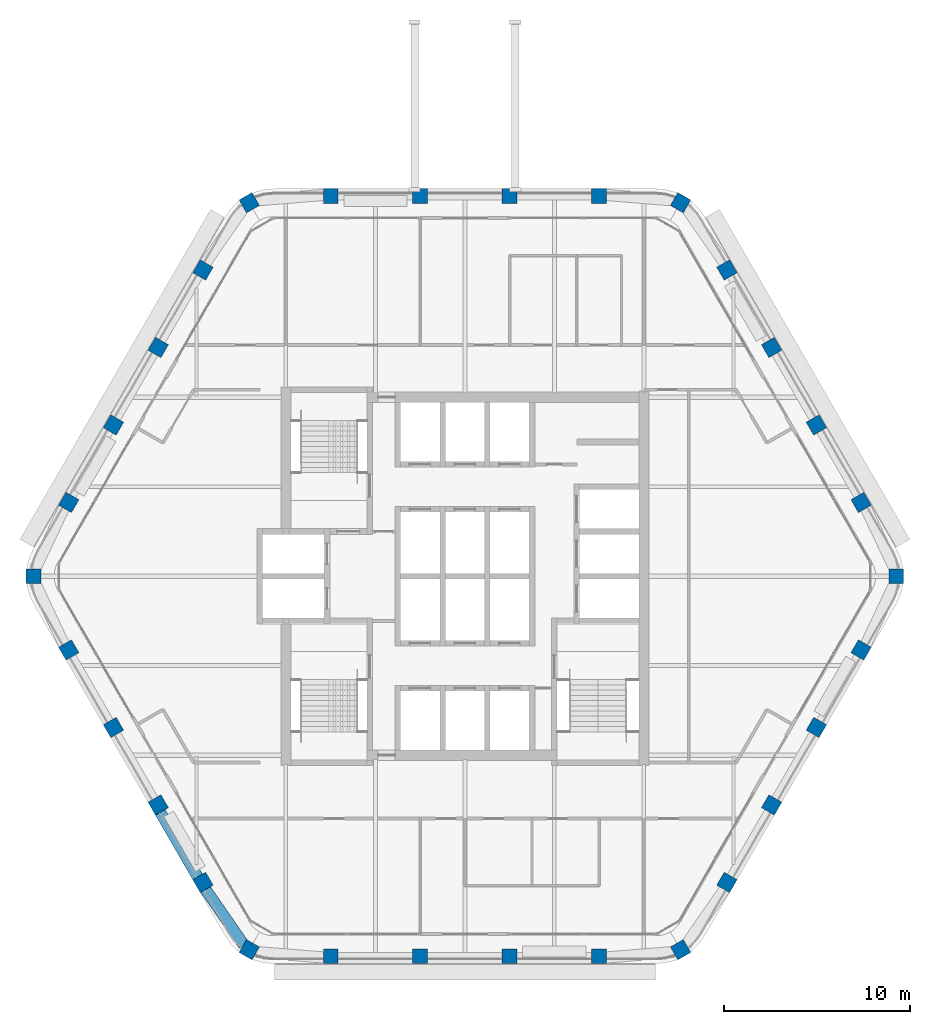
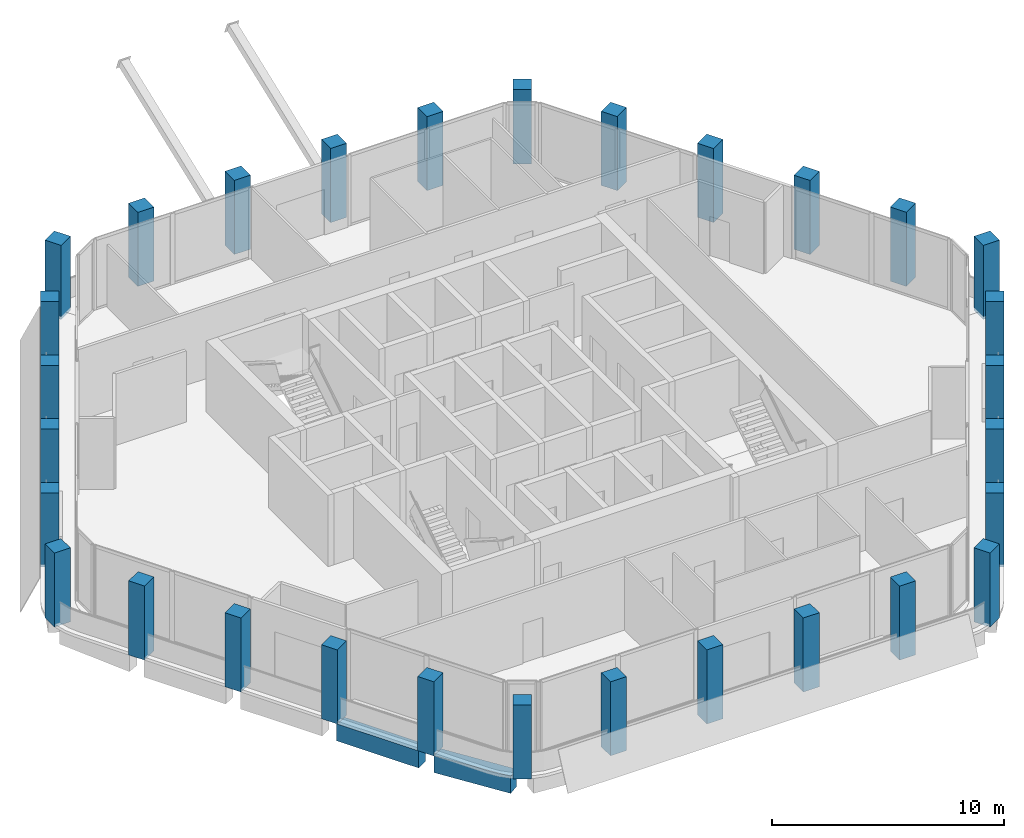
# One storey, part 1 of 14: 30 columns, 2 beams.
"""IFC4 building model written with IfcOpenShell, lengths in metres."""

from ifc_helpers import new_model, si_unit, direction, frame, origin, origin_2d, place, context, subcontext, project, spatial, rectangle, extrude, material, material_profile, profile_set, type_object, element, save


model = new_model("IFC4")

# Units and contexts
model_context = context("Model", 3, precision=1e-05, world=origin(), true_north=direction((0.0, 1.0)))
body_context = subcontext(model_context, "Body", "Model", "MODEL_VIEW")
ifc_project = project(units=[si_unit("LENGTHUNIT", "METRE"), si_unit("AREAUNIT", "SQUARE_METRE"), si_unit("VOLUMEUNIT", "CUBIC_METRE"), si_unit("PLANEANGLEUNIT", "RADIAN"), si_unit("MASSUNIT", "GRAM", prefix="KILO")], contexts=[model_context])

# Site, building, storey
site_placement = place(None, origin())
site = spatial("IfcSite", under=ifc_project, at=site_placement, CompositionType="ELEMENT")
building_placement = place(site_placement, origin())
building = spatial("IfcBuilding", under=site, at=building_placement, Name="Kolab Exchange Tower", CompositionType="ELEMENT")
storey_placement = place(building_placement, frame((0.0, 0.0, 261.800048828125)))
storey = spatial("IfcBuildingStorey", under=building, at=storey_placement, Name="L58", CompositionType="ELEMENT", Elevation=261.800048828125)

# Columns
ifc_material = material(Name="Concrete C50/60", Category="concrete")
ifc_material_profile_1 = material_profile(ifc_material, rectangle(XDim=0.800048828125, YDim=0.800048828125, at=origin_2d()), Name="RC800")
ifc_profile_set_1 = profile_set([ifc_material_profile_1], Name="Concrete C50/60")
column_type = type_object("IfcColumnType", Name="PERIMETER COLUMN 800 SQ C50/60", PredefinedType="COLUMN", material=ifc_profile_set_1)
for number, where, z_axis, x_axis, name in (
    (1, (-11.56787109375, 20.036376953125, -0.150146484375), (0.0, 0.0, 1.0), (0.866025403784, 0.5, 0.0), "col/L58/F1-01"),
    (2, (-7.199951171875, 20.384521484375, -0.150146484375), (0.0, 0.0, 1.0), (1.0, 0.0, 0.0), "col/L58/F1-02"),
    (3, (-2.39990234375, 20.384521484375, -0.150146484375), (0.0, 0.0, 1.0), (1.0, 0.0, 0.0), "col/L58/F1-03"),
    (4, (2.39990234375, 20.384521484375, -0.150146484375), (0.0, 0.0, 1.0), (1.0, 0.0, 0.0), "col/L58/F1-04"),
    (5, (7.199951171875, 20.384521484375, -0.150146484375), (0.0, 0.0, 1.0), (1.0, 0.0, 0.0), "col/L58/F1-05"),
    (6, (11.56787109375, 20.036376953125, -0.150146484375), (0.0, 0.0, 1.0), (0.5, 0.866025403784, 0.0), "col/L58/F2-01"),
    (7, (14.0537109375, 16.427734375, -0.150146484375), (0.0, 0.0, 1.0), (0.866025403784, 0.5, 0.0), "col/L58/F2-02"),
    (8, (16.45361328125, 12.270751953125, -0.150146484375), (0.0, 0.0, 1.0), (0.866025403784, 0.5, 0.0), "col/L58/F2-03"),
    (9, (18.853515625, 8.11376953125, -0.150146484375), (0.0, 0.0, 1.0), (0.866025403784, 0.5, 0.0), "col/L58/F2-04"),
    (10, (21.253662109375, 3.95703125, -0.150146484375), (0.0, 0.0, 1.0), (0.866025403784, 0.5, 0.0), "col/L58/F2-05"),
    (11, (23.135986328125, 0.0, -0.150146484375), (0.0, 0.0, 1.0), (1.0, 0.0, 0.0), "col/L58/F3-01"),
    (12, (21.253662109375, -3.95703125, -0.150146484375), (0.0, 0.0, 1.0), (0.5, 0.866025403784, 0.0), "col/L58/F3-02"),
    (13, (18.853515625, -8.11376953125, -0.150146484375), (0.0, 0.0, 1.0), (0.5, 0.866025403784, 0.0), "col/L58/F3-03"),
    (14, (16.45361328125, -12.270751953125, -0.150146484375), (0.0, 0.0, 1.0), (0.5, 0.866025403784, 0.0), "col/L58/F3-04"),
    (15, (14.0537109375, -16.427734375, -0.150146484375), (0.0, 0.0, 1.0), (0.5, 0.866025403784, 0.0), "col/L58/F3-05"),
    (16, (11.56787109375, -20.036376953125, -0.150146484375), (0.0, 0.0, 1.0), (0.866025403784, 0.5, 0.0), "col/L58/F4-01"),
    (17, (7.199951171875, -20.384521484375, -0.150146484375), (0.0, 0.0, 1.0), (1.0, 0.0, 0.0), "col/L58/F4-02"),
    (18, (2.39990234375, -20.384521484375, -0.150146484375), (0.0, 0.0, 1.0), (1.0, 0.0, 0.0), "col/L58/F4-03"),
    (19, (-2.39990234375, -20.384521484375, -0.150146484375), (0.0, 0.0, 1.0), (1.0, 0.0, 0.0), "col/L58/F4-04"),
    (20, (-7.199951171875, -20.384521484375, -0.150146484375), (0.0, 0.0, 1.0), (1.0, 0.0, 0.0), "col/L58/F4-05"),
    (21, (-11.56787109375, -20.036376953125, -0.150146484375), (0.0, 0.0, 1.0), (0.5, 0.866025403784, 0.0), "col/L58/F5-01"),
    (22, (-14.0537109375, -16.427734375, -0.150146484375), (0.0, 0.0, 1.0), (0.866025403784, 0.5, 0.0), "col/L58/F5-02"),
    (23, (-16.45361328125, -12.270751953125, -0.150146484375), (0.0, 0.0, 1.0), (0.866025403784, 0.5, 0.0), "col/L58/F5-03"),
    (24, (-18.853515625, -8.11376953125, -0.150146484375), (0.0, 0.0, 1.0), (0.866025403784, 0.5, 0.0), "col/L58/F5-04"),
    (25, (-21.253662109375, -3.95703125, -0.150146484375), (0.0, 0.0, 1.0), (0.866025403784, 0.5, 0.0), "col/L58/F5-05"),
    (26, (-23.135986328125, 0.0, -0.150146484375), (0.0, 0.0, 1.0), (1.0, 0.0, 0.0), "col/L58/F6-01"),
    (27, (-21.253662109375, 3.95703125, -0.150146484375), (0.0, 0.0, 1.0), (0.5, 0.866025403784, 0.0), "col/L58/F6-02"),
    (28, (-18.853515625, 8.11376953125, -0.150146484375), (0.0, 0.0, 1.0), (0.5, 0.866025403784, 0.0), "col/L58/F6-03"),
    (29, (-16.45361328125, 12.270751953125, -0.150146484375), (0.0, 0.0, 1.0), (0.5, 0.866025403784, 0.0), "col/L58/F6-04"),
    (30, (-14.0537109375, 16.427734375, -0.150146484375), (0.0, 0.0, 1.0), (0.5, 0.866025403784, 0.0), "col/L58/F6-05"),
):
    element("IfcColumn", number, at=place(storey_placement, frame(where, z_axis=z_axis, x_axis=x_axis)), inside=storey, type_object=column_type, Name=name, PredefinedType="COLUMN", context=body_context, shape_type="SweptSolid", body=[
        extrude(rectangle(XDim=0.800048828125, YDim=0.800048828125, at=origin_2d()), origin(), (0.0, 0.0, 1.0), 3.900146484375),
    ])

# Beams
ifc_material_profile_2 = material_profile(ifc_material, rectangle(XDim=0.60009765625, YDim=0.89990234375, at=origin_2d()), Name="RC600X900")
ifc_profile_set_2 = profile_set([ifc_material_profile_2], Name="Concrete C50/60")
beam_type = type_object("IfcBeamType", Name="SPANDREL BEAM 600X900 C50/60", PredefinedType="BEAM", material=ifc_profile_set_2)
beam_1_placement = place(storey_placement, frame((-11.846923828125, -19.7919921875, -0.60009765625), z_axis=(-0.569005808573, 0.822333502789, 0.0), x_axis=(-0.822333502789, -0.569005808573, 0.0)))
element("IfcBeam", 31, at=beam_1_placement, inside=storey, type_object=beam_type, Name="beam/L58/sp/F5-01", PredefinedType="BEAM", context=body_context, shape_type="SweptSolid", body=[
    extrude(rectangle(XDim=0.60009765625, YDim=0.89990234375, at=origin_2d()), origin(), (0.0, 0.0, 1.0), 3.6689453125),
])
beam_2_placement = place(storey_placement, frame((-14.3203125, -16.166015625, -0.60009765625), z_axis=(-0.499955548806, 0.866051066172, 0.0), x_axis=(-0.866051066172, -0.499955548806, 0.0)))
element("IfcBeam", 32, at=beam_2_placement, inside=storey, type_object=beam_type, Name="beam/L58/sp/F5-02", PredefinedType="BEAM", context=body_context, shape_type="SweptSolid", body=[
    extrude(rectangle(XDim=0.60009765625, YDim=0.89990234375, at=origin_2d()), origin(), (0.0, 0.0, 1.0), 4.079833984375),
])

save(model, "model.ifc")
